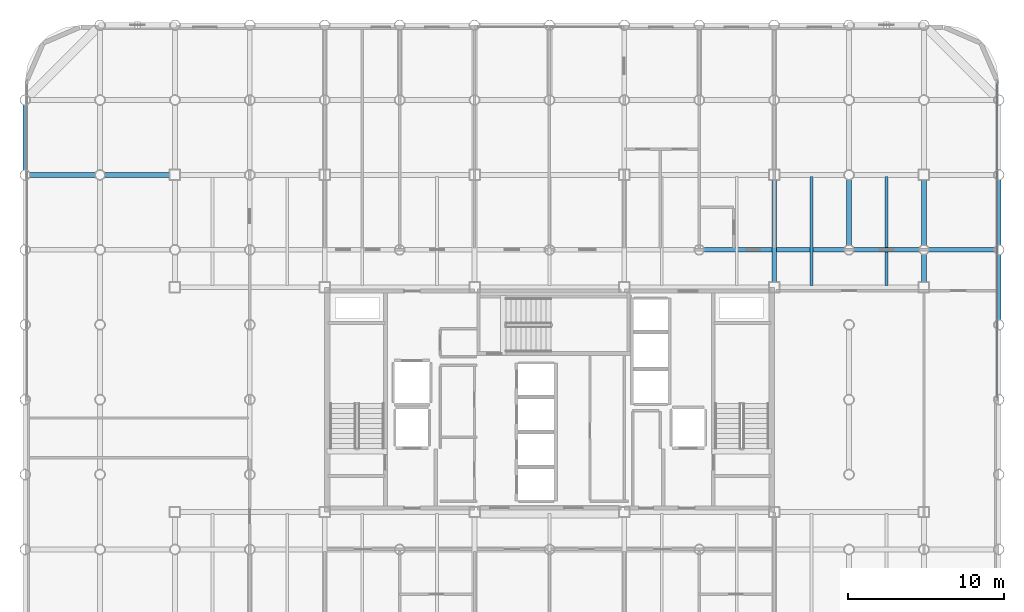
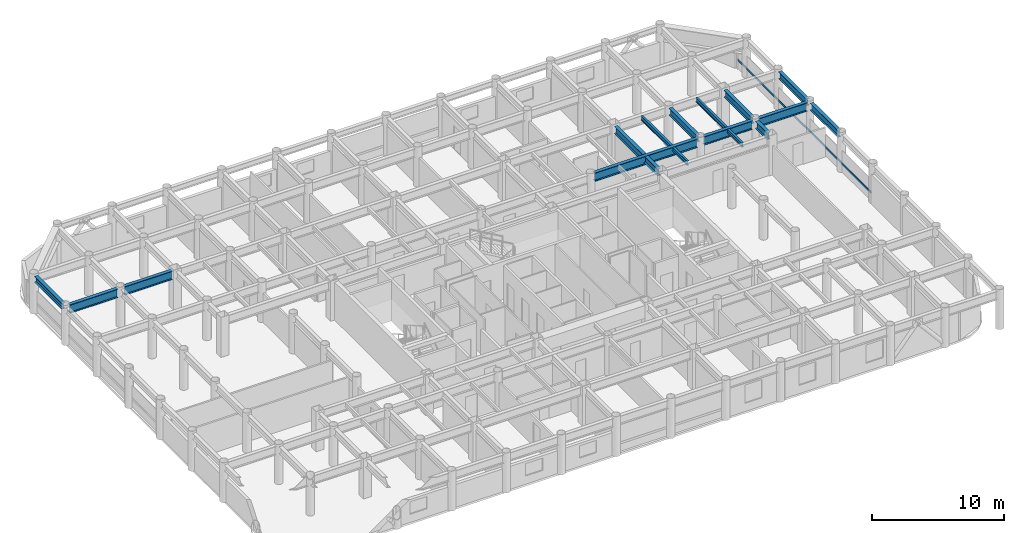
# One storey, part 9 of 20: 14 beams, 1 member, 1 element without a shape of its own.
"""IFC4 building model written with IfcOpenShell, lengths in metres."""

from ifc_helpers import new_model, si_unit, direction, frame, origin, origin_2d, place, context, subcontext, project, spatial, hollow_rectangle, i_section, extrude, material, layer, layer_set, material_profile, profile_set, type_object, element, aggregate, save


model = new_model("IFC4")

# Units and contexts
model_context = context("Model", 3, precision=1e-05, world=origin(), true_north=direction((0.0, 1.0)))
body_context = subcontext(model_context, "Body", "Model", "MODEL_VIEW")
ifc_project = project(units=[si_unit("LENGTHUNIT", "METRE"), si_unit("AREAUNIT", "SQUARE_METRE"), si_unit("VOLUMEUNIT", "CUBIC_METRE"), si_unit("PLANEANGLEUNIT", "RADIAN"), si_unit("MASSUNIT", "GRAM", prefix="KILO")], contexts=[model_context])

# Site, building, storey
site_placement = place(None, origin())
site = spatial("IfcSite", under=ifc_project, at=site_placement, CompositionType="ELEMENT")
building_placement = place(site_placement, origin())
building = spatial("IfcBuilding", under=site, at=building_placement, Name="Kallvorn Hotel Tower", CompositionType="ELEMENT")
storey_placement = place(building_placement, frame((0.0, 0.0, 135.89990234375)))
storey = spatial("IfcBuildingStorey", under=building, at=storey_placement, Name="L33", CompositionType="ELEMENT", Elevation=135.89990234375)

# Beams
ifc_material_1 = material(Name="Structural steel S355JR", Category="steel")
ifc_material_profile_1 = material_profile(ifc_material_1, i_section(OverallWidth=0.300048828125, OverallDepth=0.550048828125, WebThickness=0.014892578125, FlangeThickness=0.029052734375, at=origin_2d()), Name="HE 550 B")
ifc_profile_set_1 = profile_set([ifc_material_profile_1], Name="Structural steel S355JR")
beam_type_1 = type_object("IfcBeamType", Name="BM_HE550B", PredefinedType="SPANDREL", material=ifc_profile_set_1)
beam_1_placement = place(storey_placement, frame((-33.60009765625, 14.719970703125, 3.2451171875), z_axis=(0.0, 1.0, 0.0), x_axis=(-1.0, 0.0, 0.0)))
element("IfcBeam", 1, at=beam_1_placement, inside=storey, type_object=beam_type_1, Name="L34 Perimeter Spandrel 180", PredefinedType="SPANDREL", context=body_context, shape_type="SweptSolid", body=[
    extrude(i_section(OverallWidth=0.300048828125, OverallDepth=0.550048828125, WebThickness=0.014892578125, FlangeThickness=0.029052734375, at=origin_2d()), origin(), (0.0, 0.0, 1.0), 4.159912109375),
])
ifc_material_2 = material(Name="Structural steel S355JR", Category="steel")
ifc_material_profile_2 = material_profile(ifc_material_2, i_section(OverallWidth=0.300048828125, OverallDepth=0.64990234375, WebThickness=0.01611328125, FlangeThickness=0.031005859375, at=origin_2d()), Name="HE 650 B")
ifc_profile_set_2 = profile_set([ifc_material_profile_2], Name="Structural steel S355JR")
beam_type_2 = type_object("IfcBeamType", Name="BM_HE650B", PredefinedType="BEAM", material=ifc_profile_set_2)
beam_2_placement = place(storey_placement, frame((14.39990234375, 7.52490234375, 3.195068359375), z_axis=(0.0, 1.0, 0.0), x_axis=(-1.0, 0.0, 0.0)))
element("IfcBeam", 2, at=beam_2_placement, inside=storey, type_object=beam_type_2, Name="L34 Primary Y-Girder 124", PredefinedType="BEAM", context=body_context, shape_type="SweptSolid", body=[
    extrude(i_section(OverallWidth=0.300048828125, OverallDepth=0.64990234375, WebThickness=0.01611328125, FlangeThickness=0.031005859375, at=origin_2d()), origin(), (0.0, 0.0, 1.0), 6.550048828125),
])
beam_3_placement = place(storey_placement, frame((19.199951171875, 9.905029296875, 3.195068359375), z_axis=(0.0, 1.0, 0.0), x_axis=(-1.0, 0.0, 0.0)))
element("IfcBeam", 3, at=beam_3_placement, inside=storey, type_object=beam_type_2, Name="L34 Primary Y-Girder 133", PredefinedType="BEAM", context=body_context, shape_type="SweptSolid", body=[
    extrude(i_section(OverallWidth=0.300048828125, OverallDepth=0.64990234375, WebThickness=0.01611328125, FlangeThickness=0.031005859375, at=origin_2d()), origin(), (0.0, 0.0, 1.0), 4.18994140625),
])
beam_4_placement = place(storey_placement, frame((24.0, 7.52490234375, 3.195068359375), z_axis=(0.0, 1.0, 0.0), x_axis=(-1.0, 0.0, 0.0)))
element("IfcBeam", 4, at=beam_4_placement, inside=storey, type_object=beam_type_2, Name="L34 Primary Y-Girder 139", PredefinedType="BEAM", context=body_context, shape_type="SweptSolid", body=[
    extrude(i_section(OverallWidth=0.300048828125, OverallDepth=0.64990234375, WebThickness=0.01611328125, FlangeThickness=0.031005859375, at=origin_2d()), origin(), (0.0, 0.0, 1.0), 1.77001953125),
])
beam_5_placement = place(storey_placement, frame((24.0, 9.905029296875, 3.195068359375), z_axis=(0.0, 1.0, 0.0), x_axis=(-1.0, 0.0, 0.0)))
element("IfcBeam", 5, at=beam_5_placement, inside=storey, type_object=beam_type_2, Name="L34 Primary Y-Girder 140", PredefinedType="BEAM", context=body_context, shape_type="SweptSolid", body=[
    extrude(i_section(OverallWidth=0.300048828125, OverallDepth=0.64990234375, WebThickness=0.01611328125, FlangeThickness=0.031005859375, at=origin_2d()), origin(), (0.0, 0.0, 1.0), 4.169921875),
])
for number, where, z_axis, x_axis, name in (
    (6, (28.800048828125, 5.10498046875, 3.195068359375), (0.0, 1.0, 0.0), (-1.0, 0.0, 0.0), "L34 Primary Y-Girder 148"),
    (7, (28.800048828125, 9.905029296875, 3.195068359375), (0.0, 1.0, 0.0), (-1.0, 0.0, 0.0), "L34 Primary Y-Girder 149"),
):
    element("IfcBeam", number, at=place(storey_placement, frame(where, z_axis=z_axis, x_axis=x_axis)), inside=storey, type_object=beam_type_2, Name=name, PredefinedType="BEAM", context=body_context, shape_type="SweptSolid", body=[
        extrude(i_section(OverallWidth=0.300048828125, OverallDepth=0.64990234375, WebThickness=0.01611328125, FlangeThickness=0.031005859375, at=origin_2d()), origin(), (0.0, 0.0, 1.0), 4.18994140625),
    ])
ifc_material_3 = material(Name="Structural steel S355JR", Category="steel")
ifc_material_profile_3 = material_profile(ifc_material_3, i_section(OverallWidth=0.300048828125, OverallDepth=0.800048828125, WebThickness=0.017578125, FlangeThickness=0.032958984375, at=origin_2d()), Name="HE 800 B")
ifc_profile_set_3 = profile_set([ifc_material_profile_3], Name="Structural steel S355JR")
beam_type_3 = type_object("IfcBeamType", Name="BM_HE800B", PredefinedType="BEAM", material=ifc_profile_set_3)
beam_6_placement = place(storey_placement, frame((9.905029296875, 9.60009765625, 3.1201171875), z_axis=(1.0, 0.0, 0.0), x_axis=(0.0, 1.0, 0.0)))
element("IfcBeam", 8, at=beam_6_placement, inside=storey, type_object=beam_type_3, Name="L34 Primary X-Girder 47", PredefinedType="BEAM", context=body_context, shape_type="SweptSolid", body=[
    extrude(i_section(OverallWidth=0.300048828125, OverallDepth=0.800048828125, WebThickness=0.017578125, FlangeThickness=0.032958984375, at=origin_2d()), origin(), (0.0, 0.0, 1.0), 8.989990234375),
])
for number, where, z_axis, x_axis, name in (
    (9, (19.5048828125, 9.60009765625, 3.1201171875), (1.0, 0.0, 0.0), (0.0, 1.0, 0.0), "L34 Primary X-Girder 48"),
    (10, (24.304931640625, 9.60009765625, 3.1201171875), (1.0, 0.0, 0.0), (0.0, 1.0, 0.0), "L34 Primary X-Girder 49"),
):
    element("IfcBeam", number, at=place(storey_placement, frame(where, z_axis=z_axis, x_axis=x_axis)), inside=storey, type_object=beam_type_3, Name=name, PredefinedType="BEAM", context=body_context, shape_type="SweptSolid", body=[
        extrude(i_section(OverallWidth=0.300048828125, OverallDepth=0.800048828125, WebThickness=0.017578125, FlangeThickness=0.032958984375, at=origin_2d()), origin(), (0.0, 0.0, 1.0), 4.190185546875),
    ])
beam_7_placement = place(storey_placement, frame((-33.294921875, 14.39990234375, 3.1201171875), z_axis=(1.0, 0.0, 0.0), x_axis=(0.0, 1.0, 0.0)))
element("IfcBeam", 11, at=beam_7_placement, inside=storey, type_object=beam_type_3, Name="L34 Primary X-Girder 50", PredefinedType="BEAM", context=body_context, shape_type="SweptSolid", body=[
    extrude(i_section(OverallWidth=0.300048828125, OverallDepth=0.800048828125, WebThickness=0.017578125, FlangeThickness=0.032958984375, at=origin_2d()), origin(), (0.0, 0.0, 1.0), 4.18994140625),
])
beam_8_placement = place(storey_placement, frame((-28.4951171875, 14.39990234375, 3.1201171875), z_axis=(1.0, 0.0, 0.0), x_axis=(0.0, 1.0, 0.0)))
element("IfcBeam", 12, at=beam_8_placement, inside=storey, type_object=beam_type_3, Name="L34 Primary X-Girder 51", PredefinedType="BEAM", context=body_context, shape_type="SweptSolid", body=[
    extrude(i_section(OverallWidth=0.300048828125, OverallDepth=0.800048828125, WebThickness=0.017578125, FlangeThickness=0.032958984375, at=origin_2d()), origin(), (0.0, 0.0, 1.0), 4.170166015625),
])
ifc_material_4 = material(Name="Structural steel S355JR", Category="steel")
ifc_material_profile_4 = material_profile(ifc_material_4, i_section(OverallWidth=0.179931640625, OverallDepth=0.39990234375, WebThickness=0.008544921875, FlangeThickness=0.013427734375, at=origin_2d()), Name="IPE 400")
ifc_profile_set_4 = profile_set([ifc_material_profile_4], Name="Structural steel S355JR")
beam_type_4 = type_object("IfcBeamType", Name="BM_IPE400", PredefinedType="JOIST", material=ifc_profile_set_4)
for number, where, z_axis, x_axis, name in (
    (13, (16.800048828125, 7.300048828125, 3.320068359375), (0.0, 1.0, 0.0), (-1.0, 0.0, 0.0), "L34 Secondary Composite Joist 207"),
    (14, (21.60009765625, 7.300048828125, 3.320068359375), (0.0, 1.0, 0.0), (-1.0, 0.0, 0.0), "L34 Secondary Composite Joist 209"),
):
    element("IfcBeam", number, at=place(storey_placement, frame(where, z_axis=z_axis, x_axis=x_axis)), inside=storey, type_object=beam_type_4, Name=name, PredefinedType="JOIST", context=body_context, shape_type="SweptSolid", body=[
        extrude(i_section(OverallWidth=0.179931640625, OverallDepth=0.39990234375, WebThickness=0.008544921875, FlangeThickness=0.013427734375, at=origin_2d()), origin(), (0.0, 0.0, 1.0), 7.0),
    ])

# Curtain wall, member
ifc_material_5 = material(Name="Thermally broken black-anodised aluminium AA 6063-T6", Category="aluminium")
ifc_layer = layer(ifc_material_5, 0.2099609375)
ifc_layer_set = layer_set([ifc_layer], Name="CW_SYS_4_HOTEL_MID")
curtain_wall_type = type_object("IfcCurtainWallType", Name="CW_SYS_4_HOTEL_MID", PredefinedType="USERDEFINED", material=ifc_layer_set)
curtain_wall_placement = place(storey_placement, origin())
curtain_wall = element("IfcCurtainWall", 15, at=curtain_wall_placement, inside=storey, type_object=curtain_wall_type, Name="L33 Dark-Glass Curtain Wall CW-L33-EN", ObjectType="UNITISED CURTAIN WALL", PredefinedType="USERDEFINED")
ifc_material_6 = material(Name="Thermally broken black-anodised aluminium AA 6063-T6", Category="aluminium")
ifc_material_profile_5 = material_profile(ifc_material_6, hollow_rectangle(XDim=0.070068359375, YDim=0.179931640625, WallThickness=0.00390625, at=origin_2d()), Name="TRN 180x70")
ifc_profile_set_5 = profile_set([ifc_material_profile_5], Name="Thermally broken black-anodised aluminium AA 6063-T6")
member_type = type_object("IfcMemberType", Name="CW_TRANSOM_180x70", PredefinedType="USERDEFINED", material=ifc_profile_set_5)
member_placement = place(storey_placement, frame((28.679931640625, 0.06005859375, 0.85009765625), z_axis=(0.0, 1.0, 0.0), x_axis=(-1.0, 0.0, 0.0)))
member = element("IfcMember", 16, at=member_placement, type_object=member_type, Name="CW-L33-EN Transom 00M", ObjectType="TRANSOM", PredefinedType="USERDEFINED", context=body_context, shape_type="SweptSolid", body=[
    extrude(hollow_rectangle(XDim=0.070068359375, YDim=0.179931640625, WallThickness=0.00390625, at=origin_2d()), origin(), (0.0, 0.0, 1.0), 20.300048828125),
])
aggregate(curtain_wall, [member])

save(model, "model.ifc")
